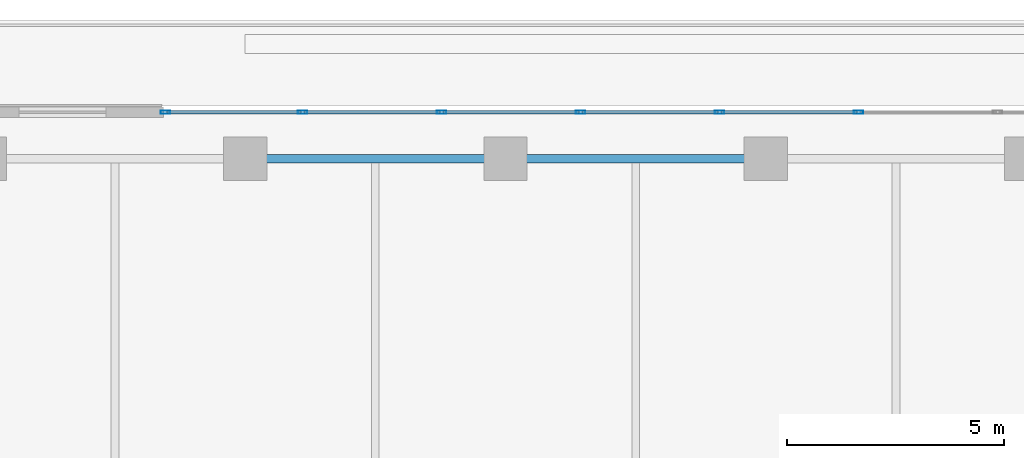
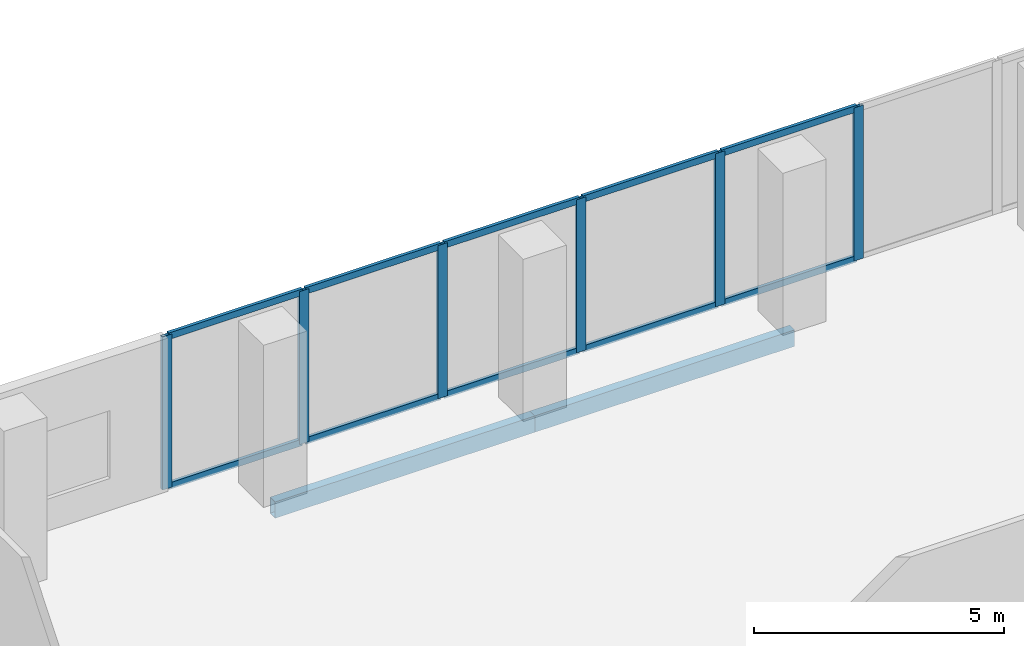
# One storey, part 17 of 38: 16 members, 2 beams, 1 element without a shape of its own.
"""IFC4 building model written with IfcOpenShell, lengths in metres."""

import ifcopenshell
import ifcopenshell.guid

model = None  # the IFC model being written
_history = None  # IfcOwnerHistory: only IFC2X3 demands one
_inside = {}  # id of a spatial element -> (the spatial element, [elements in it])
_under = {}  # id of a project, library or spatial element -> (it, [spatial elements below it])
_declared = {}  # id of a project -> (the project, [libraries it declares])
_typed = {}  # id of a type object -> (the type object, [elements of that type])
_made_of = {}  # id of a material, layer set ... -> (it, [elements and type objects made of it])


def new_model(schema):
    """Start an empty IFC model of exactly this schema.

    Asked for "IFC4X3", IfcOpenShell would pick the latest addendum, in which some entities
    have other attributes; the version numbers below select the first issue.
    IFC2X3 requires an IfcOwnerHistory on every rooted entity: one is made here for all.
    """
    global model, _history
    if schema == "IFC4X3":
        model = ifcopenshell.file(schema_version=(4, 3, 0, 0))
    else:
        model = ifcopenshell.file(schema=schema)
    _inside.clear()
    _under.clear()
    _declared.clear()
    _typed.clear()
    _made_of.clear()
    _history = None
    if model.schema == "IFC2X3":
        org = make("IfcOrganization", Name="unknown")
        user = make(
            "IfcPersonAndOrganization",
            ThePerson=make("IfcPerson", FamilyName="unknown"),
            TheOrganization=org,
        )
        app = make(
            "IfcApplication",
            ApplicationDeveloper=org,
            Version="unknown",
            ApplicationFullName="unknown",
            ApplicationIdentifier="unknown",
        )
        _history = make(
            "IfcOwnerHistory",
            OwningUser=user,
            OwningApplication=app,
            ChangeAction="ADDED",
            CreationDate=0,
        )
    return model


def make(cls, **values):
    """One entity of the class cls with the attributes given. An attribute that is None is left unset."""
    return model.create_entity(
        cls, **{name: value for name, value in values.items() if value is not None}
    )


def rooted(cls, **values):
    """An entity with a GlobalId (a new one), such as an element, a storey or a relation."""
    return make(cls, GlobalId=ifcopenshell.guid.new(), OwnerHistory=_history, **values)


def si_unit(unit_type, name, prefix=None):
    """IfcSIUnit, for example si_unit("LENGTHUNIT", "METRE", prefix="MILLI")."""
    return make("IfcSIUnit", UnitType=unit_type, Prefix=prefix, Name=name)


def assignment(units):
    """IfcUnitAssignment: the units of a project."""
    return None if units is None else make("IfcUnitAssignment", Units=units)


def point(xyz):
    """IfcCartesianPoint."""
    return None if xyz is None else make("IfcCartesianPoint", Coordinates=xyz)


def direction(xyz):
    """IfcDirection."""
    return None if xyz is None else make("IfcDirection", DirectionRatios=xyz)


def frame(location, z_axis=None, x_axis=None):
    """IfcAxis2Placement3D, a coordinate frame: its origin and axes. An axis left out is left unset."""
    return make(
        "IfcAxis2Placement3D",
        Location=point(location),
        Axis=direction(z_axis),
        RefDirection=direction(x_axis),
    )


def frame_2d(location, x_axis=None):
    """IfcAxis2Placement2D, a coordinate frame in the plane: its origin and x axis."""
    return make(
        "IfcAxis2Placement2D", Location=point(location), RefDirection=direction(x_axis)
    )


def origin():
    """The frame at (0, 0, 0) with its axes left unset."""
    return frame((0.0, 0.0, 0.0))


def origin_2d():
    """The frame at (0, 0) in the plane with its x axis left unset."""
    return frame_2d((0.0, 0.0))


def place(relative_to, where):
    """IfcLocalPlacement: puts the frame where relative to a parent placement (None: the world)."""
    return make(
        "IfcLocalPlacement", PlacementRelTo=relative_to, RelativePlacement=where
    )


def context(
    kind, dimensions, precision=None, world=None, true_north=None, identifier=None
):
    """IfcGeometricRepresentationContext, for example the 3D "Model" context."""
    return make(
        "IfcGeometricRepresentationContext",
        ContextIdentifier=identifier,
        ContextType=kind,
        CoordinateSpaceDimension=dimensions,
        Precision=precision,
        WorldCoordinateSystem=world,
        TrueNorth=true_north,
    )


def subcontext(parent, identifier, kind, view, scale=None):
    """IfcGeometricRepresentationSubContext, for example "Body" below "Model"."""
    return make(
        "IfcGeometricRepresentationSubContext",
        ContextIdentifier=identifier,
        ContextType=kind,
        ParentContext=parent,
        TargetScale=scale,
        TargetView=view,
    )


def project(units=None, contexts=None):
    """IfcProject with its units and contexts."""
    return rooted(
        "IfcProject",
        Name="project",
        RepresentationContexts=contexts,
        UnitsInContext=assignment(units),
    )


def spatial(cls, under=None, at=None, **own):
    """A site, building, storey or space (cls), placed at a placement, below another one or the project."""
    s = rooted(cls, ObjectPlacement=at, **own)
    if under is not None:
        _under.setdefault(under.id(), (under, []))[1].append(s)
    return s


def profile(cls, at=None, kind="AREA", **sizes):
    """A parametric profile (cls). Its sizes go by their IFC names, for example OverallWidth=200.0."""
    return make(cls, ProfileType=kind, Position=at, **sizes)


def hollow_rectangle(**sizes):
    """IfcRectangleHollowProfileDef."""
    return profile("IfcRectangleHollowProfileDef", **sizes)


def extrude(swept, where, along, depth):
    """IfcExtrudedAreaSolid: the profile swept, set in the frame where, extruded along a direction by depth."""
    return make(
        "IfcExtrudedAreaSolid",
        SweptArea=swept,
        Position=where,
        ExtrudedDirection=direction(along),
        Depth=depth,
    )


def shape(context_of_items, identifier, shape_type, items):
    """IfcShapeRepresentation: the items that make up one representation, for example the "Body"."""
    return make(
        "IfcShapeRepresentation",
        ContextOfItems=context_of_items,
        RepresentationIdentifier=identifier,
        RepresentationType=shape_type,
        Items=items,
    )


def material(Name=None, Category=None):
    """IfcMaterial."""
    return make("IfcMaterial", Name=Name, Category=Category)


def layer(
    of_material, thickness, ventilated=None, Name=None, Category=None, Priority=None
):
    """IfcMaterialLayer: one layer of a wall or slab, of a material (None: an air gap)."""
    return make(
        "IfcMaterialLayer",
        Material=of_material,
        LayerThickness=thickness,
        IsVentilated=ventilated,
        Name=Name,
        Category=Category,
        Priority=Priority,
    )


def layer_set(layers, Name=None):
    """IfcMaterialLayerSet."""
    return make("IfcMaterialLayerSet", MaterialLayers=layers, LayerSetName=Name)


def material_profile(
    of_material, cross_section, Name=None, Category=None, Priority=None
):
    """IfcMaterialProfile: a cross section and its material."""
    return make(
        "IfcMaterialProfile",
        Name=Name,
        Material=of_material,
        Profile=cross_section,
        Priority=Priority,
        Category=Category,
    )


def profile_set(profiles, Name=None, composite=None):
    """IfcMaterialProfileSet."""
    return make(
        "IfcMaterialProfileSet",
        Name=Name,
        MaterialProfiles=profiles,
        CompositeProfile=composite,
    )


def made_of(thing, what):
    """Note that an element or type object is made of a material, layer set ...; save() writes the relation."""
    if what is not None:
        _made_of.setdefault(what.id(), (what, []))[1].append(thing)
    return thing


def type_object(cls, material=None, **own):
    """A type object (cls), such as IfcWallType, which elements share."""
    return made_of(rooted(cls, **own), material)


def element(
    cls,
    number,
    at=None,
    inside=None,
    cuts=None,
    type_object=None,
    material=None,
    context=None,
    identifier="Body",
    shape_type=None,
    held_by="IfcProductDefinitionShape",
    body=None,
    shapes=None,
    **own,
):
    """One element of the class cls, such as IfcWall. Its Tag is "e" and its number.

    at: its placement. inside: the storey or other place that contains it. cuts: it is an
    opening in that element (IfcRelVoidsElement). A single representation is given by context,
    identifier, shape_type and body (its items); several are given by shapes. held_by: the class
    of the entity that holds the representations. save() writes the other relations.
    """
    e = rooted(cls, Tag="e%d" % number, ObjectPlacement=at, **own)
    if body is not None:
        shapes = [shape(context, identifier, shape_type, body)]
    if shapes is not None:
        e.Representation = make(held_by, Representations=shapes)
    if inside is not None:
        _inside.setdefault(inside.id(), (inside, []))[1].append(e)
    if cuts is not None:
        rooted(
            "IfcRelVoidsElement", RelatingBuildingElement=cuts, RelatedOpeningElement=e
        )
    if type_object is not None:
        _typed.setdefault(type_object.id(), (type_object, []))[1].append(e)
    return made_of(e, material)


def aggregate(whole, parts):
    """IfcRelAggregates: a whole, such as a stair, and the parts it consists of."""
    return rooted("IfcRelAggregates", RelatingObject=whole, RelatedObjects=parts)


def save(model, path):
    """Write the relations noted so far, then the file.

    IfcRelAggregates (storeys below a building ...), IfcRelContainedInSpatialStructure (elements
    in a storey), IfcRelDefinesByType, IfcRelAssociatesMaterial and IfcRelDeclares: one each for
    every whole, place, type object, material and project.
    """
    for whole, parts in _under.values():
        aggregate(whole, parts)
    for where, things in _inside.values():
        rooted(
            "IfcRelContainedInSpatialStructure",
            RelatedElements=things,
            RelatingStructure=where,
        )
    for kind, things in _typed.values():
        rooted("IfcRelDefinesByType", RelatedObjects=things, RelatingType=kind)
    for what, things in _made_of.values():
        rooted("IfcRelAssociatesMaterial", RelatedObjects=things, RelatingMaterial=what)
    for by, libraries in _declared.values():
        rooted("IfcRelDeclares", RelatingContext=by, RelatedDefinitions=libraries)
    model.write(path)


model = new_model("IFC4")

# Units and contexts
model_context = context("Model", 3, precision=1e-05, world=origin(), true_north=direction((0.0, 1.0)))
body_context = subcontext(model_context, "Body", "Model", "MODEL_VIEW")
ifc_project = project(units=[si_unit("LENGTHUNIT", "METRE"), si_unit("AREAUNIT", "SQUARE_METRE"), si_unit("VOLUMEUNIT", "CUBIC_METRE"), si_unit("PLANEANGLEUNIT", "RADIAN"), si_unit("MASSUNIT", "GRAM", prefix="KILO")], contexts=[model_context])

# Site, building, storey
site_placement = place(None, origin())
site = spatial("IfcSite", under=ifc_project, at=site_placement, CompositionType="ELEMENT")
building_placement = place(site_placement, origin())
building = spatial("IfcBuilding", under=site, at=building_placement, Name="Tanjung Sevakor Pilgrim Tower", CompositionType="ELEMENT")
storey_placement = place(building_placement, frame((0.0, 0.0, 78.2099609375)))
storey = spatial("IfcBuildingStorey", under=building, at=storey_placement, Name="L21", CompositionType="ELEMENT", Elevation=78.2099609375)

# Beams
ifc_material_1 = material(Name="Steel S355J2", Category="steel")
ifc_material_profile_1 = material_profile(ifc_material_1, hollow_rectangle(XDim=0.199951171875, YDim=0.39990234375, WallThickness=0.01611328125, at=origin_2d()))
ifc_profile_set_1 = profile_set([ifc_material_profile_1], Name="Steel S355J2")
beam_type = type_object("IfcBeamType", Name="BM-B-SP2-RHS_400x200x16", PredefinedType="SPANDREL", material=ifc_profile_set_1)
for number, where, z_axis, x_axis, name in (
    (1, (60.0, 56.39990234375, -0.47998046875), (1.0, 0.0, 0.0), (0.0, 1.0, 0.0), "L21 Spandrel MAIN N-10"),
    (2, (66.0, 56.39990234375, -0.47998046875), (1.0, 0.0, 0.0), (0.0, 1.0, 0.0), "L21 Spandrel MAIN N-12"),
):
    element("IfcBeam", number, at=place(storey_placement, frame(where, z_axis=z_axis, x_axis=x_axis)), inside=storey, type_object=beam_type, Name=name, PredefinedType="SPANDREL", context=body_context, shape_type="SweptSolid", body=[
        extrude(hollow_rectangle(XDim=0.199951171875, YDim=0.39990234375, WallThickness=0.01611328125, at=origin_2d()), origin(), (0.0, 0.0, 1.0), 6.0),
    ])

# Curtain wall, members
ifc_material_2 = material(Name="Aluminium 6063-T6 and Low-E Glass", Category="aluminium")
ifc_layer = layer(ifc_material_2, 0.199951171875)
ifc_layer_set = layer_set([ifc_layer], Name="CW-SYS-SKY")
curtain_wall_type = type_object("IfcCurtainWallType", Name="CW-SYS-SKY", PredefinedType="NOTDEFINED", material=ifc_layer_set)
curtain_wall_placement = place(storey_placement, origin())
curtain_wall = element("IfcCurtainWall", 3, at=curtain_wall_placement, inside=storey, type_object=curtain_wall_type, Name="L21 Curtain Wall CW-SKY-L21-N", PredefinedType="NOTDEFINED")
ifc_material_3 = material(Name="Aluminium 6063-T6", Category="aluminium")
ifc_material_profile_2 = material_profile(ifc_material_3, hollow_rectangle(XDim=0.074951171875, YDim=0.219970703125, WallThickness=0.0048828125, at=origin_2d()))
ifc_profile_set_2 = profile_set([ifc_material_profile_2], Name="Aluminium 6063-T6")
member_type_1 = type_object("IfcMemberType", Name="TYPE-CWM-2", PredefinedType="MULLION", material=ifc_profile_set_2)
member_1_placement = place(storey_placement, frame((74.13671875, 57.47509765625, 0.0), z_axis=(0.0, 0.0, 1.0), x_axis=(0.0, -1.0, 0.0)))
member_1 = element("IfcMember", 4, at=member_1_placement, type_object=member_type_1, Name="CW-SKY mullion 6", PredefinedType="MULLION", context=body_context, shape_type="SweptSolid", body=[
    extrude(hollow_rectangle(XDim=0.074951171875, YDim=0.219970703125, WallThickness=0.0048828125, at=origin_2d()), origin(), (0.0, 0.0, 1.0), 3.739990234375),
])
member_2_placement = place(storey_placement, frame((70.934326171875, 57.47509765625, 0.0), z_axis=(0.0, 0.0, 1.0), x_axis=(0.0, -1.0, 0.0)))
member_2 = element("IfcMember", 5, at=member_2_placement, type_object=member_type_1, Name="CW-SKY mullion 7", PredefinedType="MULLION", context=body_context, shape_type="SweptSolid", body=[
    extrude(hollow_rectangle(XDim=0.074951171875, YDim=0.219970703125, WallThickness=0.0048828125, at=origin_2d()), origin(), (0.0, 0.0, 1.0), 3.739990234375),
])
member_3_placement = place(storey_placement, frame((67.73193359375, 57.47509765625, 0.0), z_axis=(0.0, 0.0, 1.0), x_axis=(0.0, -1.0, 0.0)))
member_3 = element("IfcMember", 6, at=member_3_placement, type_object=member_type_1, Name="CW-SKY mullion 8", PredefinedType="MULLION", context=body_context, shape_type="SweptSolid", body=[
    extrude(hollow_rectangle(XDim=0.074951171875, YDim=0.219970703125, WallThickness=0.0048828125, at=origin_2d()), origin(), (0.0, 0.0, 1.0), 3.739990234375),
])
member_4_placement = place(storey_placement, frame((64.529541015625, 57.47509765625, 0.0), z_axis=(0.0, 0.0, 1.0), x_axis=(0.0, -1.0, 0.0)))
member_4 = element("IfcMember", 7, at=member_4_placement, type_object=member_type_1, Name="CW-SKY mullion 9", PredefinedType="MULLION", context=body_context, shape_type="SweptSolid", body=[
    extrude(hollow_rectangle(XDim=0.074951171875, YDim=0.219970703125, WallThickness=0.0048828125, at=origin_2d()), origin(), (0.0, 0.0, 1.0), 3.739990234375),
])
member_5_placement = place(storey_placement, frame((61.327392578125, 57.47509765625, 0.0), z_axis=(0.0, 0.0, 1.0), x_axis=(0.0, -1.0, 0.0)))
member_5 = element("IfcMember", 8, at=member_5_placement, type_object=member_type_1, Name="CW-SKY mullion 10", PredefinedType="MULLION", context=body_context, shape_type="SweptSolid", body=[
    extrude(hollow_rectangle(XDim=0.074951171875, YDim=0.219970703125, WallThickness=0.0048828125, at=origin_2d()), origin(), (0.0, 0.0, 1.0), 3.739990234375),
])
member_6_placement = place(storey_placement, frame((58.16259765625, 57.47509765625, 0.0), z_axis=(0.0, 0.0, 1.0), x_axis=(0.0, -1.0, 0.0)))
member_6 = element("IfcMember", 9, at=member_6_placement, type_object=member_type_1, Name="CW-SKY mullion 11", PredefinedType="MULLION", context=body_context, shape_type="SweptSolid", body=[
    extrude(hollow_rectangle(XDim=0.074951171875, YDim=0.219970703125, WallThickness=0.0048828125, at=origin_2d()), origin(), (0.0, 0.0, 1.0), 3.739990234375),
])
ifc_material_4 = material(Name="Aluminium 6063-T6", Category="aluminium")
ifc_material_profile_3 = material_profile(ifc_material_4, hollow_rectangle(XDim=0.074951171875, YDim=0.159912109375, WallThickness=0.00439453125, at=origin_2d()))
ifc_profile_set_3 = profile_set([ifc_material_profile_3], Name="Aluminium 6063-T6")
member_type_2 = type_object("IfcMemberType", Name="TYPE-CWT-2", PredefinedType="USERDEFINED", material=ifc_profile_set_3)
member_7_placement = place(storey_placement, frame((74.09912109375, 57.47509765625, 0.03759765625), z_axis=(-1.0, 0.0, 0.0), x_axis=(0.0, -1.0, 0.0)))
member_7 = element("IfcMember", 10, at=member_7_placement, type_object=member_type_2, Name="CW-SKY transom 6.1", ObjectType="TRANSOM", PredefinedType="USERDEFINED", context=body_context, shape_type="SweptSolid", body=[
    extrude(hollow_rectangle(XDim=0.074951171875, YDim=0.159912109375, WallThickness=0.00439453125, at=origin_2d()), origin(), (0.0, 0.0, 1.0), 3.12744140625),
])
member_8_placement = place(storey_placement, frame((74.09912109375, 57.47509765625, 3.70263671875), z_axis=(-1.0, 0.0, 0.0), x_axis=(0.0, -1.0, 0.0)))
member_8 = element("IfcMember", 11, at=member_8_placement, type_object=member_type_2, Name="CW-SKY transom 6.2", ObjectType="TRANSOM", PredefinedType="USERDEFINED", context=body_context, shape_type="SweptSolid", body=[
    extrude(hollow_rectangle(XDim=0.074951171875, YDim=0.159912109375, WallThickness=0.00439453125, at=origin_2d()), origin(), (0.0, 0.0, 1.0), 3.12744140625),
])
member_9_placement = place(storey_placement, frame((70.896728515625, 57.47509765625, 0.03759765625), z_axis=(-1.0, 0.0, 0.0), x_axis=(0.0, -1.0, 0.0)))
member_9 = element("IfcMember", 12, at=member_9_placement, type_object=member_type_2, Name="CW-SKY transom 7.1", ObjectType="TRANSOM", PredefinedType="USERDEFINED", context=body_context, shape_type="SweptSolid", body=[
    extrude(hollow_rectangle(XDim=0.074951171875, YDim=0.159912109375, WallThickness=0.00439453125, at=origin_2d()), origin(), (0.0, 0.0, 1.0), 3.127197265625),
])
member_10_placement = place(storey_placement, frame((70.896728515625, 57.47509765625, 3.70263671875), z_axis=(-1.0, 0.0, 0.0), x_axis=(0.0, -1.0, 0.0)))
member_10 = element("IfcMember", 13, at=member_10_placement, type_object=member_type_2, Name="CW-SKY transom 7.2", ObjectType="TRANSOM", PredefinedType="USERDEFINED", context=body_context, shape_type="SweptSolid", body=[
    extrude(hollow_rectangle(XDim=0.074951171875, YDim=0.159912109375, WallThickness=0.00439453125, at=origin_2d()), origin(), (0.0, 0.0, 1.0), 3.127197265625),
])
member_11_placement = place(storey_placement, frame((67.694580078125, 57.47509765625, 0.03759765625), z_axis=(-1.0, 0.0, 0.0), x_axis=(0.0, -1.0, 0.0)))
member_11 = element("IfcMember", 14, at=member_11_placement, type_object=member_type_2, Name="CW-SKY transom 8.1", ObjectType="TRANSOM", PredefinedType="USERDEFINED", context=body_context, shape_type="SweptSolid", body=[
    extrude(hollow_rectangle(XDim=0.074951171875, YDim=0.159912109375, WallThickness=0.00439453125, at=origin_2d()), origin(), (0.0, 0.0, 1.0), 3.12744140625),
])
member_12_placement = place(storey_placement, frame((67.694580078125, 57.47509765625, 3.70263671875), z_axis=(-1.0, 0.0, 0.0), x_axis=(0.0, -1.0, 0.0)))
member_12 = element("IfcMember", 15, at=member_12_placement, type_object=member_type_2, Name="CW-SKY transom 8.2", ObjectType="TRANSOM", PredefinedType="USERDEFINED", context=body_context, shape_type="SweptSolid", body=[
    extrude(hollow_rectangle(XDim=0.074951171875, YDim=0.159912109375, WallThickness=0.00439453125, at=origin_2d()), origin(), (0.0, 0.0, 1.0), 3.12744140625),
])
member_13_placement = place(storey_placement, frame((64.4921875, 57.47509765625, 0.03759765625), z_axis=(-1.0, 0.0, 0.0), x_axis=(0.0, -1.0, 0.0)))
member_13 = element("IfcMember", 16, at=member_13_placement, type_object=member_type_2, Name="CW-SKY transom 9.1", ObjectType="TRANSOM", PredefinedType="USERDEFINED", context=body_context, shape_type="SweptSolid", body=[
    extrude(hollow_rectangle(XDim=0.074951171875, YDim=0.159912109375, WallThickness=0.00439453125, at=origin_2d()), origin(), (0.0, 0.0, 1.0), 3.12744140625),
])
member_14_placement = place(storey_placement, frame((64.4921875, 57.47509765625, 3.70263671875), z_axis=(-1.0, 0.0, 0.0), x_axis=(0.0, -1.0, 0.0)))
member_14 = element("IfcMember", 17, at=member_14_placement, type_object=member_type_2, Name="CW-SKY transom 9.2", ObjectType="TRANSOM", PredefinedType="USERDEFINED", context=body_context, shape_type="SweptSolid", body=[
    extrude(hollow_rectangle(XDim=0.074951171875, YDim=0.159912109375, WallThickness=0.00439453125, at=origin_2d()), origin(), (0.0, 0.0, 1.0), 3.12744140625),
])
member_15_placement = place(storey_placement, frame((61.289794921875, 57.47509765625, 0.03759765625), z_axis=(-1.0, 0.0, 0.0), x_axis=(0.0, -1.0, 0.0)))
member_15 = element("IfcMember", 18, at=member_15_placement, type_object=member_type_2, Name="CW-SKY transom 10.1", ObjectType="TRANSOM", PredefinedType="USERDEFINED", context=body_context, shape_type="SweptSolid", body=[
    extrude(hollow_rectangle(XDim=0.074951171875, YDim=0.159912109375, WallThickness=0.00439453125, at=origin_2d()), origin(), (0.0, 0.0, 1.0), 3.08984375),
])
member_16_placement = place(storey_placement, frame((61.289794921875, 57.47509765625, 3.70263671875), z_axis=(-1.0, 0.0, 0.0), x_axis=(0.0, -1.0, 0.0)))
member_16 = element("IfcMember", 19, at=member_16_placement, type_object=member_type_2, Name="CW-SKY transom 10.2", ObjectType="TRANSOM", PredefinedType="USERDEFINED", context=body_context, shape_type="SweptSolid", body=[
    extrude(hollow_rectangle(XDim=0.074951171875, YDim=0.159912109375, WallThickness=0.00439453125, at=origin_2d()), origin(), (0.0, 0.0, 1.0), 3.08984375),
])
aggregate(curtain_wall, [member_1, member_2, member_3, member_4, member_5, member_6, member_7, member_8, member_9, member_10, member_11, member_12, member_13, member_14, member_15, member_16])

save(model, "model.ifc")
